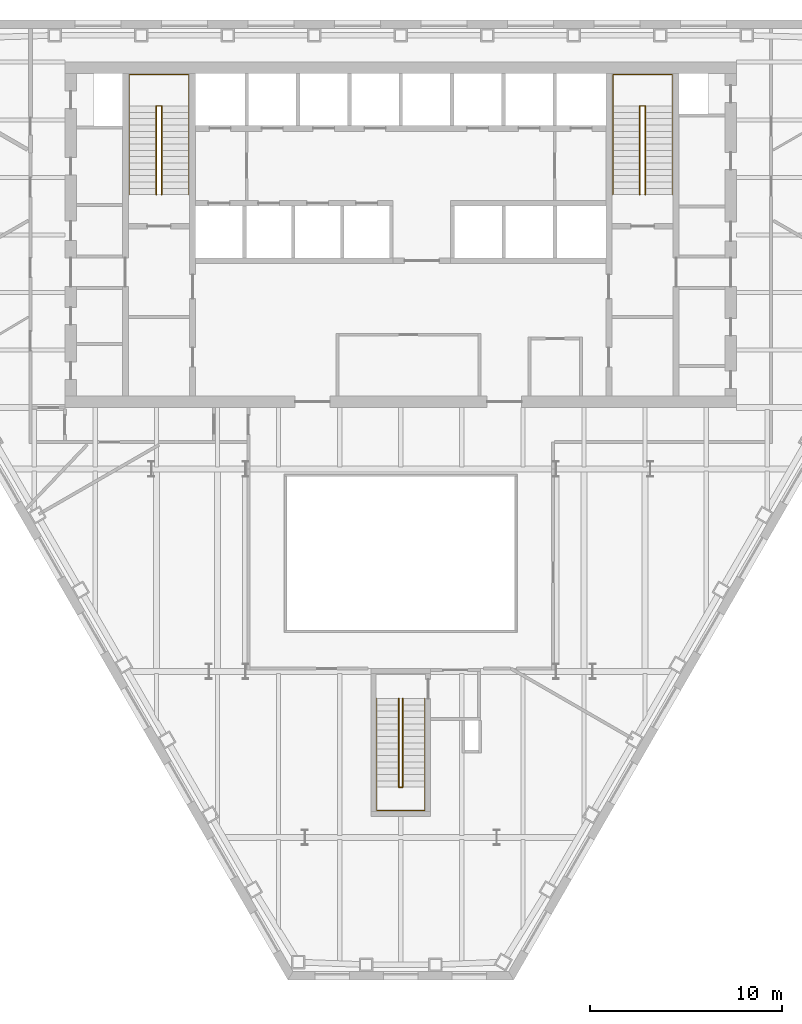
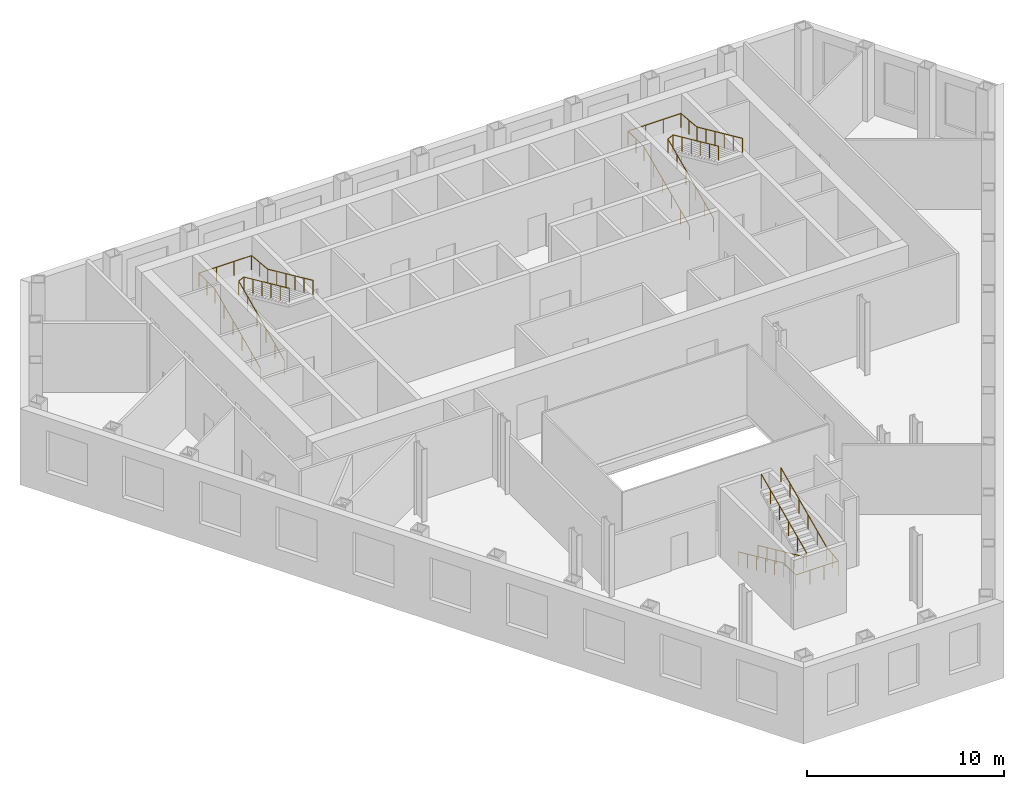
# One storey, part 11 of 11: 6 railings.
"""IFC4 building model written with IfcOpenShell, lengths in metres."""

from ifc_helpers import new_model, si_unit, direction, frame, origin, origin_2d, place, context, subcontext, project, spatial, circle, extrude, material, type_object, element, save


model = new_model("IFC4")

# Units and contexts
model_context = context("Model", 3, precision=1e-05, world=origin(), true_north=direction((0.0, 1.0)))
body_context = subcontext(model_context, "Body", "Model", "MODEL_VIEW")
ifc_project = project(units=[si_unit("LENGTHUNIT", "METRE"), si_unit("AREAUNIT", "SQUARE_METRE"), si_unit("VOLUMEUNIT", "CUBIC_METRE"), si_unit("PLANEANGLEUNIT", "RADIAN"), si_unit("MASSUNIT", "GRAM", prefix="KILO")], contexts=[model_context])

# Site, building, storey
site_placement = place(None, origin())
site = spatial("IfcSite", under=ifc_project, at=site_placement, CompositionType="ELEMENT")
building_placement = place(site_placement, origin())
building = spatial("IfcBuilding", under=site, at=building_placement, Name="Njiva Tower", CompositionType="ELEMENT")
storey_placement = place(building_placement, frame((0.0, 0.0, 42.3)))
storey = spatial("IfcBuildingStorey", under=building, at=storey_placement, Name="L08", CompositionType="ELEMENT", Elevation=42.3)

# Railings
ifc_material = material(Name="Stainless steel", Category="steel")
railing_type = type_object("IfcRailingType", Name="RL1 Stair handrail 900", PredefinedType="HANDRAIL", material=ifc_material)
railing_1_placement = place(storey_placement, frame((-14.15, 11.1, 0.15)))
element("IfcRailing", 1, at=railing_1_placement, inside=storey, type_object=railing_type, Name="Stair A handrail", PredefinedType="HANDRAIL", context=body_context, shape_type="SweptSolid", body=[
    extrude(circle(Radius=0.024, at=origin_2d()), frame((0.0, 0.0, 0.876), z_axis=(0.0, 0.910366477463, 0.413802944301), x_axis=(-1.0, 0.0, 0.0)), (0.0, 0.0, 1.0), 5.0749),
    extrude(circle(Radius=0.024, at=origin_2d()), frame((0.0, 4.62, 2.976), z_axis=(0.0, 1.0, 0.0), x_axis=(-1.0, 0.0, 0.0)), (0.0, 0.0, 1.0), 1.63),
    extrude(circle(Radius=0.024, at=origin_2d()), frame((0.0, 6.25, 2.976), z_axis=(1.0, 0.0, 0.0), x_axis=(0.0, 1.0, 0.0)), (0.0, 0.0, 1.0), 3.1),
    extrude(circle(Radius=0.024, at=origin_2d()), frame((3.1, 6.25, 2.976), z_axis=(0.0, -0.995792447047, 0.091637341753), x_axis=(1.0, 0.0, 0.0)), (0.0, 0.0, 1.0), 1.6369),
    extrude(circle(Radius=0.024, at=origin_2d()), frame((3.1, 4.62, 3.126), z_axis=(0.0, -0.910366477463, 0.413802944301), x_axis=(1.0, 0.0, 0.0)), (0.0, 0.0, 1.0), 5.0749),
    extrude(circle(Radius=0.021, at=origin_2d()), origin(), (0.0, 0.0, 1.0), 0.852),
    extrude(circle(Radius=0.021, at=origin_2d()), frame((0.0, 0.924, 0.42)), (0.0, 0.0, 1.0), 0.852),
    extrude(circle(Radius=0.021, at=origin_2d()), frame((0.0, 1.848, 0.84)), (0.0, 0.0, 1.0), 0.852),
    extrude(circle(Radius=0.021, at=origin_2d()), frame((0.0, 2.772, 1.26)), (0.0, 0.0, 1.0), 0.852),
    extrude(circle(Radius=0.021, at=origin_2d()), frame((0.0, 3.696, 1.68)), (0.0, 0.0, 1.0), 0.852),
    extrude(circle(Radius=0.021, at=origin_2d()), frame((0.0, 4.62, 2.1)), (0.0, 0.0, 1.0), 0.852),
    extrude(circle(Radius=0.021, at=origin_2d()), frame((0.0, 5.435, 2.1)), (0.0, 0.0, 1.0), 0.852),
    extrude(circle(Radius=0.021, at=origin_2d()), frame((0.0, 6.25, 2.1)), (0.0, 0.0, 1.0), 0.852),
    extrude(circle(Radius=0.021, at=origin_2d()), frame((1.0333, 6.25, 2.1)), (0.0, 0.0, 1.0), 0.852),
    extrude(circle(Radius=0.021, at=origin_2d()), frame((2.0667, 6.25, 2.1)), (0.0, 0.0, 1.0), 0.852),
    extrude(circle(Radius=0.021, at=origin_2d()), frame((3.1, 6.25, 2.1)), (0.0, 0.0, 1.0), 0.852),
    extrude(circle(Radius=0.021, at=origin_2d()), frame((3.1, 5.435, 2.175)), (0.0, 0.0, 1.0), 0.852),
    extrude(circle(Radius=0.021, at=origin_2d()), frame((3.1, 4.62, 2.25)), (0.0, 0.0, 1.0), 0.852),
    extrude(circle(Radius=0.021, at=origin_2d()), frame((3.1, 3.696, 2.67)), (0.0, 0.0, 1.0), 0.852),
    extrude(circle(Radius=0.021, at=origin_2d()), frame((3.1, 2.772, 3.09)), (0.0, 0.0, 1.0), 0.852),
    extrude(circle(Radius=0.021, at=origin_2d()), frame((3.1, 1.848, 3.51)), (0.0, 0.0, 1.0), 0.852),
    extrude(circle(Radius=0.021, at=origin_2d()), frame((3.1, 0.924, 3.93)), (0.0, 0.0, 1.0), 0.852),
    extrude(circle(Radius=0.021, at=origin_2d()), frame((3.1, 0.0, 4.35)), (0.0, 0.0, 1.0), 0.852),
])
railing_2_placement = place(storey_placement, frame((-12.75, 11.1, 0.15)))
element("IfcRailing", 2, at=railing_2_placement, inside=storey, type_object=railing_type, Name="Stair A handrail", PredefinedType="HANDRAIL", context=body_context, shape_type="SweptSolid", body=[
    extrude(circle(Radius=0.024, at=origin_2d()), frame((0.0, 0.0, 0.876), z_axis=(0.0, 0.910366477463, 0.413802944301), x_axis=(-1.0, 0.0, 0.0)), (0.0, 0.0, 1.0), 5.0749),
    extrude(circle(Radius=0.024, at=origin_2d()), frame((0.0, 4.62, 2.976), z_axis=(0.894427191, 0.0, 0.4472135955), x_axis=(0.0, 1.0, 0.0)), (0.0, 0.0, 1.0), 0.3354),
    extrude(circle(Radius=0.024, at=origin_2d()), frame((0.3, 4.62, 3.126), z_axis=(0.0, -0.910366477463, 0.413802944301), x_axis=(1.0, 0.0, 0.0)), (0.0, 0.0, 1.0), 5.0749),
    extrude(circle(Radius=0.021, at=origin_2d()), origin(), (0.0, 0.0, 1.0), 0.852),
    extrude(circle(Radius=0.021, at=origin_2d()), frame((0.0, 0.924, 0.42)), (0.0, 0.0, 1.0), 0.852),
    extrude(circle(Radius=0.021, at=origin_2d()), frame((0.0, 1.848, 0.84)), (0.0, 0.0, 1.0), 0.852),
    extrude(circle(Radius=0.021, at=origin_2d()), frame((0.0, 2.772, 1.26)), (0.0, 0.0, 1.0), 0.852),
    extrude(circle(Radius=0.021, at=origin_2d()), frame((0.0, 3.696, 1.68)), (0.0, 0.0, 1.0), 0.852),
    extrude(circle(Radius=0.021, at=origin_2d()), frame((0.0, 4.62, 2.1)), (0.0, 0.0, 1.0), 0.852),
    extrude(circle(Radius=0.021, at=origin_2d()), frame((0.3, 4.62, 2.25)), (0.0, 0.0, 1.0), 0.852),
    extrude(circle(Radius=0.021, at=origin_2d()), frame((0.3, 3.696, 2.67)), (0.0, 0.0, 1.0), 0.852),
    extrude(circle(Radius=0.021, at=origin_2d()), frame((0.3, 2.772, 3.09)), (0.0, 0.0, 1.0), 0.852),
    extrude(circle(Radius=0.021, at=origin_2d()), frame((0.3, 1.848, 3.51)), (0.0, 0.0, 1.0), 0.852),
    extrude(circle(Radius=0.021, at=origin_2d()), frame((0.3, 0.924, 3.93)), (0.0, 0.0, 1.0), 0.852),
    extrude(circle(Radius=0.021, at=origin_2d()), frame((0.3, 0.0, 4.35)), (0.0, 0.0, 1.0), 0.852),
])
railing_3_placement = place(storey_placement, frame((11.05, 11.1, 0.15)))
element("IfcRailing", 3, at=railing_3_placement, inside=storey, type_object=railing_type, Name="Stair B handrail", PredefinedType="HANDRAIL", context=body_context, shape_type="SweptSolid", body=[
    extrude(circle(Radius=0.024, at=origin_2d()), frame((0.0, 0.0, 0.876), z_axis=(0.0, 0.910366477463, 0.413802944301), x_axis=(-1.0, 0.0, 0.0)), (0.0, 0.0, 1.0), 5.0749),
    extrude(circle(Radius=0.024, at=origin_2d()), frame((0.0, 4.62, 2.976), z_axis=(0.0, 1.0, 0.0), x_axis=(-1.0, 0.0, 0.0)), (0.0, 0.0, 1.0), 1.63),
    extrude(circle(Radius=0.024, at=origin_2d()), frame((0.0, 6.25, 2.976), z_axis=(1.0, 0.0, 0.0), x_axis=(0.0, 1.0, 0.0)), (0.0, 0.0, 1.0), 3.1),
    extrude(circle(Radius=0.024, at=origin_2d()), frame((3.1, 6.25, 2.976), z_axis=(0.0, -0.995792447047, 0.091637341753), x_axis=(1.0, 0.0, 0.0)), (0.0, 0.0, 1.0), 1.6369),
    extrude(circle(Radius=0.024, at=origin_2d()), frame((3.1, 4.62, 3.126), z_axis=(0.0, -0.910366477463, 0.413802944301), x_axis=(1.0, 0.0, 0.0)), (0.0, 0.0, 1.0), 5.0749),
    extrude(circle(Radius=0.021, at=origin_2d()), origin(), (0.0, 0.0, 1.0), 0.852),
    extrude(circle(Radius=0.021, at=origin_2d()), frame((0.0, 0.924, 0.42)), (0.0, 0.0, 1.0), 0.852),
    extrude(circle(Radius=0.021, at=origin_2d()), frame((0.0, 1.848, 0.84)), (0.0, 0.0, 1.0), 0.852),
    extrude(circle(Radius=0.021, at=origin_2d()), frame((0.0, 2.772, 1.26)), (0.0, 0.0, 1.0), 0.852),
    extrude(circle(Radius=0.021, at=origin_2d()), frame((0.0, 3.696, 1.68)), (0.0, 0.0, 1.0), 0.852),
    extrude(circle(Radius=0.021, at=origin_2d()), frame((0.0, 4.62, 2.1)), (0.0, 0.0, 1.0), 0.852),
    extrude(circle(Radius=0.021, at=origin_2d()), frame((0.0, 5.435, 2.1)), (0.0, 0.0, 1.0), 0.852),
    extrude(circle(Radius=0.021, at=origin_2d()), frame((0.0, 6.25, 2.1)), (0.0, 0.0, 1.0), 0.852),
    extrude(circle(Radius=0.021, at=origin_2d()), frame((1.0333, 6.25, 2.1)), (0.0, 0.0, 1.0), 0.852),
    extrude(circle(Radius=0.021, at=origin_2d()), frame((2.0667, 6.25, 2.1)), (0.0, 0.0, 1.0), 0.852),
    extrude(circle(Radius=0.021, at=origin_2d()), frame((3.1, 6.25, 2.1)), (0.0, 0.0, 1.0), 0.852),
    extrude(circle(Radius=0.021, at=origin_2d()), frame((3.1, 5.435, 2.175)), (0.0, 0.0, 1.0), 0.852),
    extrude(circle(Radius=0.021, at=origin_2d()), frame((3.1, 4.62, 2.25)), (0.0, 0.0, 1.0), 0.852),
    extrude(circle(Radius=0.021, at=origin_2d()), frame((3.1, 3.696, 2.67)), (0.0, 0.0, 1.0), 0.852),
    extrude(circle(Radius=0.021, at=origin_2d()), frame((3.1, 2.772, 3.09)), (0.0, 0.0, 1.0), 0.852),
    extrude(circle(Radius=0.021, at=origin_2d()), frame((3.1, 1.848, 3.51)), (0.0, 0.0, 1.0), 0.852),
    extrude(circle(Radius=0.021, at=origin_2d()), frame((3.1, 0.924, 3.93)), (0.0, 0.0, 1.0), 0.852),
    extrude(circle(Radius=0.021, at=origin_2d()), frame((3.1, 0.0, 4.35)), (0.0, 0.0, 1.0), 0.852),
])
railing_4_placement = place(storey_placement, frame((12.45, 11.1, 0.15)))
element("IfcRailing", 4, at=railing_4_placement, inside=storey, type_object=railing_type, Name="Stair B handrail", PredefinedType="HANDRAIL", context=body_context, shape_type="SweptSolid", body=[
    extrude(circle(Radius=0.024, at=origin_2d()), frame((0.0, 0.0, 0.876), z_axis=(0.0, 0.910366477463, 0.413802944301), x_axis=(-1.0, 0.0, 0.0)), (0.0, 0.0, 1.0), 5.0749),
    extrude(circle(Radius=0.024, at=origin_2d()), frame((0.0, 4.62, 2.976), z_axis=(0.894427191, 0.0, 0.4472135955), x_axis=(0.0, 1.0, 0.0)), (0.0, 0.0, 1.0), 0.3354),
    extrude(circle(Radius=0.024, at=origin_2d()), frame((0.3, 4.62, 3.126), z_axis=(0.0, -0.910366477463, 0.413802944301), x_axis=(1.0, 0.0, 0.0)), (0.0, 0.0, 1.0), 5.0749),
    extrude(circle(Radius=0.021, at=origin_2d()), origin(), (0.0, 0.0, 1.0), 0.852),
    extrude(circle(Radius=0.021, at=origin_2d()), frame((0.0, 0.924, 0.42)), (0.0, 0.0, 1.0), 0.852),
    extrude(circle(Radius=0.021, at=origin_2d()), frame((0.0, 1.848, 0.84)), (0.0, 0.0, 1.0), 0.852),
    extrude(circle(Radius=0.021, at=origin_2d()), frame((0.0, 2.772, 1.26)), (0.0, 0.0, 1.0), 0.852),
    extrude(circle(Radius=0.021, at=origin_2d()), frame((0.0, 3.696, 1.68)), (0.0, 0.0, 1.0), 0.852),
    extrude(circle(Radius=0.021, at=origin_2d()), frame((0.0, 4.62, 2.1)), (0.0, 0.0, 1.0), 0.852),
    extrude(circle(Radius=0.021, at=origin_2d()), frame((0.3, 4.62, 2.25)), (0.0, 0.0, 1.0), 0.852),
    extrude(circle(Radius=0.021, at=origin_2d()), frame((0.3, 3.696, 2.67)), (0.0, 0.0, 1.0), 0.852),
    extrude(circle(Radius=0.021, at=origin_2d()), frame((0.3, 2.772, 3.09)), (0.0, 0.0, 1.0), 0.852),
    extrude(circle(Radius=0.021, at=origin_2d()), frame((0.3, 1.848, 3.51)), (0.0, 0.0, 1.0), 0.852),
    extrude(circle(Radius=0.021, at=origin_2d()), frame((0.3, 0.924, 3.93)), (0.0, 0.0, 1.0), 0.852),
    extrude(circle(Radius=0.021, at=origin_2d()), frame((0.3, 0.0, 4.35)), (0.0, 0.0, 1.0), 0.852),
])
railing_5_placement = place(storey_placement, frame((-1.25, -15.16, 0.15)))
element("IfcRailing", 5, at=railing_5_placement, inside=storey, type_object=railing_type, Name="Stair C handrail", PredefinedType="HANDRAIL", context=body_context, shape_type="SweptSolid", body=[
    extrude(circle(Radius=0.024, at=origin_2d()), frame((0.0, 0.0, 0.876), z_axis=(0.0, -0.910366477463, 0.413802944301), x_axis=(1.0, 0.0, 0.0)), (0.0, 0.0, 1.0), 5.0749),
    extrude(circle(Radius=0.024, at=origin_2d()), frame((0.0, -4.62, 2.976), z_axis=(0.0, -1.0, 0.0), x_axis=(1.0, 0.0, 0.0)), (0.0, 0.0, 1.0), 1.22),
    extrude(circle(Radius=0.024, at=origin_2d()), frame((0.0, -5.84, 2.976), z_axis=(1.0, 0.0, 0.0), x_axis=(0.0, 1.0, 0.0)), (0.0, 0.0, 1.0), 2.5),
    extrude(circle(Radius=0.024, at=origin_2d()), frame((2.5, -5.84, 2.976), z_axis=(0.0, 0.992526177815, 0.122031907108), x_axis=(-1.0, 0.0, 0.0)), (0.0, 0.0, 1.0), 1.2292),
    extrude(circle(Radius=0.024, at=origin_2d()), frame((2.5, -4.62, 3.126), z_axis=(0.0, 0.910366477463, 0.413802944301), x_axis=(-1.0, 0.0, 0.0)), (0.0, 0.0, 1.0), 5.0749),
    extrude(circle(Radius=0.021, at=origin_2d()), origin(), (0.0, 0.0, 1.0), 0.852),
    extrude(circle(Radius=0.021, at=origin_2d()), frame((0.0, -0.924, 0.42)), (0.0, 0.0, 1.0), 0.852),
    extrude(circle(Radius=0.021, at=origin_2d()), frame((0.0, -1.848, 0.84)), (0.0, 0.0, 1.0), 0.852),
    extrude(circle(Radius=0.021, at=origin_2d()), frame((0.0, -2.772, 1.26)), (0.0, 0.0, 1.0), 0.852),
    extrude(circle(Radius=0.021, at=origin_2d()), frame((0.0, -3.696, 1.68)), (0.0, 0.0, 1.0), 0.852),
    extrude(circle(Radius=0.021, at=origin_2d()), frame((0.0, -4.62, 2.1)), (0.0, 0.0, 1.0), 0.852),
    extrude(circle(Radius=0.021, at=origin_2d()), frame((0.0, -5.23, 2.1)), (0.0, 0.0, 1.0), 0.852),
    extrude(circle(Radius=0.021, at=origin_2d()), frame((0.0, -5.84, 2.1)), (0.0, 0.0, 1.0), 0.852),
    extrude(circle(Radius=0.021, at=origin_2d()), frame((0.8333, -5.84, 2.1)), (0.0, 0.0, 1.0), 0.852),
    extrude(circle(Radius=0.021, at=origin_2d()), frame((1.6667, -5.84, 2.1)), (0.0, 0.0, 1.0), 0.852),
    extrude(circle(Radius=0.021, at=origin_2d()), frame((2.5, -5.84, 2.1)), (0.0, 0.0, 1.0), 0.852),
    extrude(circle(Radius=0.021, at=origin_2d()), frame((2.5, -5.23, 2.175)), (0.0, 0.0, 1.0), 0.852),
    extrude(circle(Radius=0.021, at=origin_2d()), frame((2.5, -4.62, 2.25)), (0.0, 0.0, 1.0), 0.852),
    extrude(circle(Radius=0.021, at=origin_2d()), frame((2.5, -3.696, 2.67)), (0.0, 0.0, 1.0), 0.852),
    extrude(circle(Radius=0.021, at=origin_2d()), frame((2.5, -2.772, 3.09)), (0.0, 0.0, 1.0), 0.852),
    extrude(circle(Radius=0.021, at=origin_2d()), frame((2.5, -1.848, 3.51)), (0.0, 0.0, 1.0), 0.852),
    extrude(circle(Radius=0.021, at=origin_2d()), frame((2.5, -0.924, 3.93)), (0.0, 0.0, 1.0), 0.852),
    extrude(circle(Radius=0.021, at=origin_2d()), frame((2.5, 0.0, 4.35)), (0.0, 0.0, 1.0), 0.852),
])
railing_6_placement = place(storey_placement, frame((-0.1, -15.16, 0.15)))
element("IfcRailing", 6, at=railing_6_placement, inside=storey, type_object=railing_type, Name="Stair C handrail", PredefinedType="HANDRAIL", context=body_context, shape_type="SweptSolid", body=[
    extrude(circle(Radius=0.024, at=origin_2d()), frame((0.0, 0.0, 0.876), z_axis=(0.0, -0.910366477463, 0.413802944301), x_axis=(1.0, 0.0, 0.0)), (0.0, 0.0, 1.0), 5.0749),
    extrude(circle(Radius=0.024, at=origin_2d()), frame((0.0, -4.62, 2.976), z_axis=(0.8, 0.0, 0.6), x_axis=(0.0, 1.0, 0.0)), (0.0, 0.0, 1.0), 0.25),
    extrude(circle(Radius=0.024, at=origin_2d()), frame((0.2, -4.62, 3.126), z_axis=(0.0, 0.910366477463, 0.413802944301), x_axis=(-1.0, 0.0, 0.0)), (0.0, 0.0, 1.0), 5.0749),
    extrude(circle(Radius=0.021, at=origin_2d()), origin(), (0.0, 0.0, 1.0), 0.852),
    extrude(circle(Radius=0.021, at=origin_2d()), frame((0.0, -0.924, 0.42)), (0.0, 0.0, 1.0), 0.852),
    extrude(circle(Radius=0.021, at=origin_2d()), frame((0.0, -1.848, 0.84)), (0.0, 0.0, 1.0), 0.852),
    extrude(circle(Radius=0.021, at=origin_2d()), frame((0.0, -2.772, 1.26)), (0.0, 0.0, 1.0), 0.852),
    extrude(circle(Radius=0.021, at=origin_2d()), frame((0.0, -3.696, 1.68)), (0.0, 0.0, 1.0), 0.852),
    extrude(circle(Radius=0.021, at=origin_2d()), frame((0.0, -4.62, 2.1)), (0.0, 0.0, 1.0), 0.852),
    extrude(circle(Radius=0.021, at=origin_2d()), frame((0.2, -4.62, 2.25)), (0.0, 0.0, 1.0), 0.852),
    extrude(circle(Radius=0.021, at=origin_2d()), frame((0.2, -3.696, 2.67)), (0.0, 0.0, 1.0), 0.852),
    extrude(circle(Radius=0.021, at=origin_2d()), frame((0.2, -2.772, 3.09)), (0.0, 0.0, 1.0), 0.852),
    extrude(circle(Radius=0.021, at=origin_2d()), frame((0.2, -1.848, 3.51)), (0.0, 0.0, 1.0), 0.852),
    extrude(circle(Radius=0.021, at=origin_2d()), frame((0.2, -0.924, 3.93)), (0.0, 0.0, 1.0), 0.852),
    extrude(circle(Radius=0.021, at=origin_2d()), frame((0.2, 0.0, 4.35)), (0.0, 0.0, 1.0), 0.852),
])

save(model, "model.ifc")
